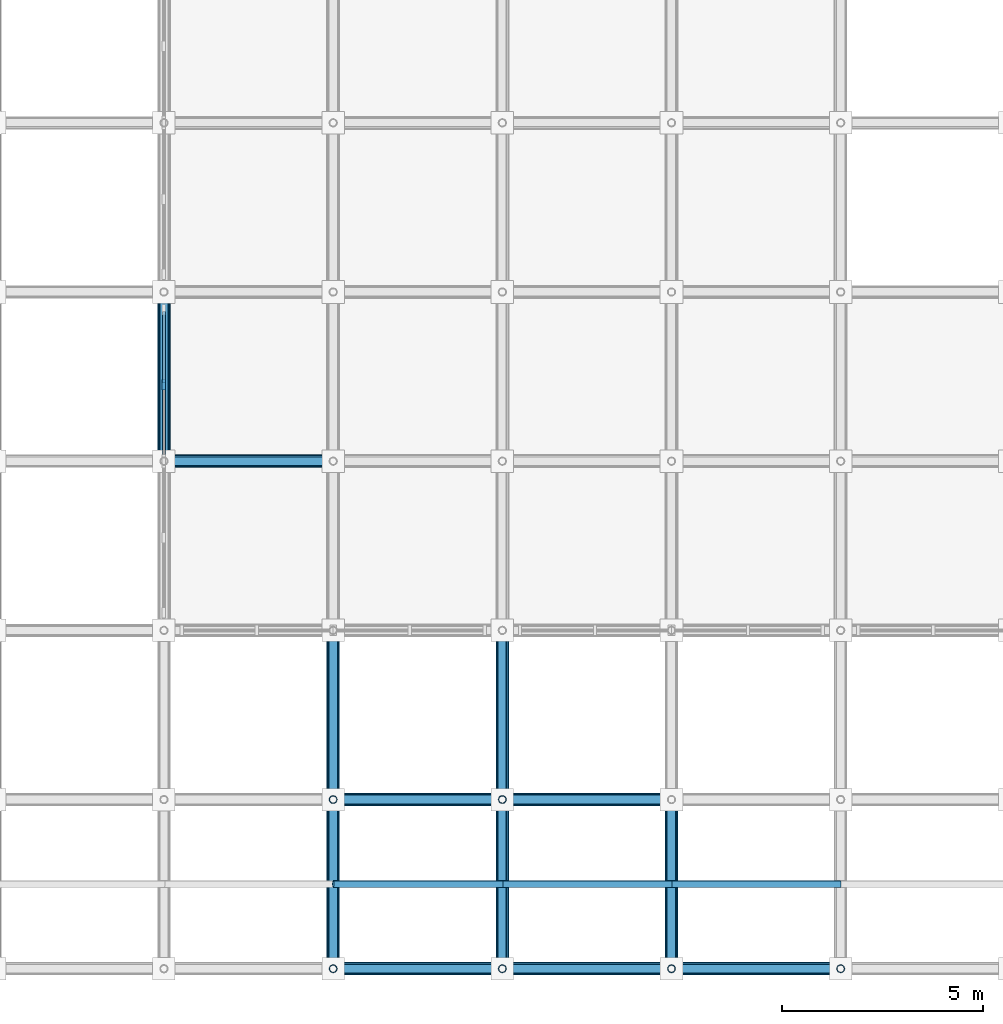
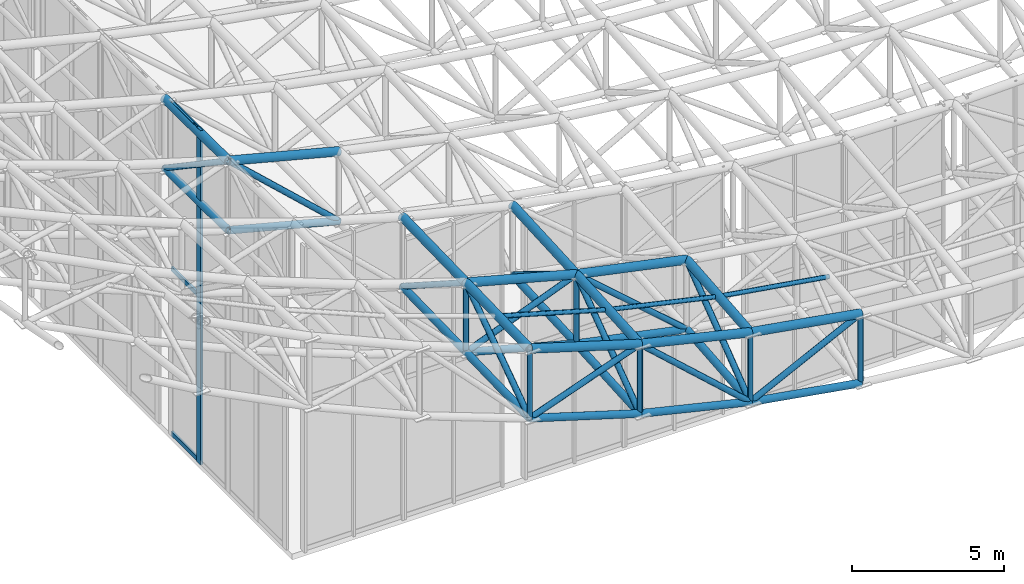
# One storey, part 5 of 93: 50 members, 1 element without a shape of its own.
"""IFC4 building model written with IfcOpenShell, lengths in metres."""

from ifc_helpers import new_model, si_unit, direction, frame, origin, origin_2d, place, context, subcontext, project, spatial, rectangle, hollow_circle, extrude, material, material_profile, profile_set, type_object, element, aggregate, save


model = new_model("IFC4")

# Units and contexts
model_context = context("Model", 3, precision=1e-05, world=origin(), true_north=direction((0.0, 1.0)))
body_context = subcontext(model_context, "Body", "Model", "MODEL_VIEW")
ifc_project = project(units=[si_unit("LENGTHUNIT", "METRE"), si_unit("AREAUNIT", "SQUARE_METRE"), si_unit("VOLUMEUNIT", "CUBIC_METRE"), si_unit("PLANEANGLEUNIT", "RADIAN"), si_unit("MASSUNIT", "GRAM", prefix="KILO")], contexts=[model_context])

# Site, building, storey
site_placement = place(None, origin())
site = spatial("IfcSite", under=ifc_project, at=site_placement, CompositionType="ELEMENT")
building_placement = place(site_placement, origin())
building = spatial("IfcBuilding", under=site, at=building_placement, Name="Cumbredor Promenade Congress Hotel", CompositionType="ELEMENT")
storey_placement = place(building_placement, frame((0.0, 0.0, 21.840087890625)))
storey = spatial("IfcBuildingStorey", under=building, at=storey_placement, Name="L06", CompositionType="ELEMENT", Elevation=21.840087890625)

# Curtain wall, members
ifc_material_1 = material(Name="Thermally broken anodized aluminium and low-E glass", Category="aluminium")
curtain_wall_type = type_object("IfcCurtainWallType", Name="Stepped Pavilion Clerestory Curtain Wall CW-06", PredefinedType="NOTDEFINED", material=ifc_material_1)
curtain_wall_placement = place(storey_placement, origin())
curtain_wall = element("IfcCurtainWall", 1, at=curtain_wall_placement, inside=storey, type_object=curtain_wall_type, Name="Plenary Congress Hall W Glazed Clerestory 2", PredefinedType="NOTDEFINED")
ifc_material_2 = material(Name="Thermally broken anodized aluminium", Category="aluminium")
ifc_material_profile_1 = material_profile(ifc_material_2, rectangle(XDim=0.0849609375, YDim=0.260009765625, at=origin_2d()), Name="ALU MULLION CLERESTORY 85x260")
ifc_profile_set_1 = profile_set([ifc_material_profile_1], Name="Thermally broken anodized aluminium")
member_type_1 = type_object("IfcMemberType", Name="Curtain Wall Mullion ML-04", PredefinedType="MULLION", material=ifc_profile_set_1)
member_1_placement = place(storey_placement, frame((8.39990234375, 14.5, -0.01806640625), z_axis=(0.0, 0.0, 1.0), x_axis=(1.0, 0.0, 0.0)))
member_1 = element("IfcMember", 2, at=member_1_placement, type_object=member_type_1, Name="Plenary Congress Hall W Glazed Clerestory 2 Mullion 2", PredefinedType="MULLION", context=body_context, shape_type="SweptSolid", body=[
    extrude(rectangle(XDim=0.0849609375, YDim=0.260009765625, at=origin_2d()), origin(), (0.0, 0.0, 1.0), 13.466064453125),
])
ifc_material_profile_2 = material_profile(ifc_material_2, rectangle(XDim=0.080078125, YDim=0.179931640625, at=origin_2d()), Name="ALU TRANSOM 80x180")
ifc_profile_set_2 = profile_set([ifc_material_profile_2], Name="Thermally broken anodized aluminium")
member_type_2 = type_object("IfcMemberType", Name="Curtain Wall Transom TR-03", PredefinedType="USERDEFINED", material=ifc_profile_set_2)
member_2_placement = place(storey_placement, frame((8.39990234375, 12.6826171875, 13.349853515625), z_axis=(0.0, 1.0, 0.0), x_axis=(-1.0, 0.0, 0.0)))
member_2 = element("IfcMember", 3, at=member_2_placement, type_object=member_type_2, Name="Plenary Congress Hall W Glazed Clerestory 2 Transom 1.3", ObjectType="TRANSOM", PredefinedType="USERDEFINED", context=body_context, shape_type="SweptSolid", body=[
    extrude(rectangle(XDim=0.080078125, YDim=0.179931640625, at=origin_2d()), origin(), (0.0, 0.0, 1.0), 1.77490234375),
])
member_3_placement = place(storey_placement, frame((8.39990234375, 14.54248046875, 0.079833984375), z_axis=(0.0, 1.0, 0.0), x_axis=(-1.0, 0.0, 0.0)))
member_3 = element("IfcMember", 4, at=member_3_placement, type_object=member_type_2, Name="Plenary Congress Hall W Glazed Clerestory 2 Transom 2.1", ObjectType="TRANSOM", PredefinedType="USERDEFINED", context=body_context, shape_type="SweptSolid", body=[
    extrude(rectangle(XDim=0.080078125, YDim=0.179931640625, at=origin_2d()), origin(), (0.0, 0.0, 1.0), 1.77490234375),
])
member_4_placement = place(storey_placement, frame((8.39990234375, 14.54248046875, 6.7099609375), z_axis=(0.0, 1.0, 0.0), x_axis=(-1.0, 0.0, 0.0)))
member_4 = element("IfcMember", 5, at=member_4_placement, type_object=member_type_2, Name="Plenary Congress Hall W Glazed Clerestory 2 Transom 2.2", ObjectType="TRANSOM", PredefinedType="USERDEFINED", context=body_context, shape_type="SweptSolid", body=[
    extrude(rectangle(XDim=0.080078125, YDim=0.179931640625, at=origin_2d()), origin(), (0.0, 0.0, 1.0), 1.77490234375),
])
member_5_placement = place(storey_placement, frame((8.39990234375, 14.54248046875, 13.349853515625), z_axis=(0.0, 1.0, 0.0), x_axis=(-1.0, 0.0, 0.0)))
member_5 = element("IfcMember", 6, at=member_5_placement, type_object=member_type_2, Name="Plenary Congress Hall W Glazed Clerestory 2 Transom 2.3", ObjectType="TRANSOM", PredefinedType="USERDEFINED", context=body_context, shape_type="SweptSolid", body=[
    extrude(rectangle(XDim=0.080078125, YDim=0.179931640625, at=origin_2d()), origin(), (0.0, 0.0, 1.0), 1.77490234375),
])
aggregate(curtain_wall, [member_1, member_2, member_3, member_4, member_5])

# Members
ifc_material_3 = material(Name="Steel ASTM A500 Grade C", Category="steel")
ifc_material_profile_3 = material_profile(ifc_material_3, hollow_circle(Radius=0.136474609375, WallThickness=0.01611328125, at=origin_2d()), Name="CHS 273.0x16")
ifc_profile_set_3 = profile_set([ifc_material_profile_3], Name="Steel ASTM A500 Grade C")
member_type_3 = type_object("IfcMemberType", Name="Plenary Roof Space Frame Bottom Chord", PredefinedType="CHORD", material=ifc_profile_set_3)
member_6_placement = place(storey_placement, frame((12.60009765625, 0.0, 9.10302734375), z_axis=(0.956327832957, 0.0, -0.292296212619), x_axis=(0.0, 1.0, 0.0)))
element("IfcMember", 7, at=member_6_placement, inside=storey, type_object=member_type_3, Name="Plenary Congress Hall X Bottom Chord 5.1", PredefinedType="CHORD", context=body_context, shape_type="SweptSolid", body=[
    extrude(hollow_circle(Radius=0.136474609375, WallThickness=0.01611328125, at=origin_2d()), origin(), (0.0, 0.0, 1.0), 4.391845703125),
])
member_7_placement = place(storey_placement, frame((16.800048828125, 0.0, 7.8193359375), z_axis=(0.972882011564, 0.0, -0.231301948922), x_axis=(0.0, 1.0, 0.0)))
element("IfcMember", 8, at=member_7_placement, inside=storey, type_object=member_type_3, Name="Plenary Congress Hall X Bottom Chord 6.1", PredefinedType="CHORD", context=body_context, shape_type="SweptSolid", body=[
    extrude(hollow_circle(Radius=0.136474609375, WallThickness=0.01611328125, at=origin_2d()), origin(), (0.0, 0.0, 1.0), 4.317138671875),
])
member_8_placement = place(storey_placement, frame((21.0, 0.0, 6.82080078125), z_axis=(0.98588906313, 0.0, -0.167399985665), x_axis=(0.0, 1.0, 0.0)))
element("IfcMember", 9, at=member_8_placement, inside=storey, type_object=member_type_3, Name="Plenary Congress Hall X Bottom Chord 7.1", PredefinedType="CHORD", context=body_context, shape_type="SweptSolid", body=[
    extrude(hollow_circle(Radius=0.136474609375, WallThickness=0.01611328125, at=origin_2d()), origin(), (0.0, 0.0, 1.0), 4.260009765625),
])
member_9_placement = place(storey_placement, frame((12.60009765625, 4.199951171875, 9.2177734375), z_axis=(0.96544052123, 0.0, -0.260623483148), x_axis=(0.0, 1.0, 0.0)))
element("IfcMember", 10, at=member_9_placement, inside=storey, type_object=member_type_3, Name="Plenary Congress Hall X Bottom Chord 5.2", PredefinedType="CHORD", context=body_context, shape_type="SweptSolid", body=[
    extrude(hollow_circle(Radius=0.136474609375, WallThickness=0.01611328125, at=origin_2d()), origin(), (0.0, 0.0, 1.0), 4.350341796875),
])
member_10_placement = place(storey_placement, frame((16.800048828125, 4.199951171875, 8.083984375), z_axis=(0.978672143388, 0.0, -0.20542842003), x_axis=(0.0, 1.0, 0.0)))
element("IfcMember", 11, at=member_10_placement, inside=storey, type_object=member_type_3, Name="Plenary Congress Hall X Bottom Chord 6.2", PredefinedType="CHORD", context=body_context, shape_type="SweptSolid", body=[
    extrude(hollow_circle(Radius=0.136474609375, WallThickness=0.01611328125, at=origin_2d()), origin(), (0.0, 0.0, 1.0), 4.29150390625),
])
member_11_placement = place(storey_placement, frame((8.39990234375, 12.60009765625, 10.5), z_axis=(0.967959933008, 0.0, -0.251104695479), x_axis=(0.0, 1.0, 0.0)))
element("IfcMember", 12, at=member_11_placement, inside=storey, type_object=member_type_3, Name="Plenary Congress Hall X Bottom Chord 4.4", PredefinedType="CHORD", context=body_context, shape_type="SweptSolid", body=[
    extrude(hollow_circle(Radius=0.136474609375, WallThickness=0.01611328125, at=origin_2d()), origin(), (0.0, 0.0, 1.0), 4.339111328125),
])
member_12_placement = place(storey_placement, frame((8.39990234375, 12.60009765625, 10.5), z_axis=(0.0, 0.999954561946, -0.009532787779), x_axis=(-1.0, 0.0, 0.0)))
element("IfcMember", 13, at=member_12_placement, inside=storey, type_object=member_type_3, Name="Plenary Congress Hall Y Bottom Chord 4.4", PredefinedType="CHORD", context=body_context, shape_type="SweptSolid", body=[
    extrude(hollow_circle(Radius=0.136474609375, WallThickness=0.01611328125, at=origin_2d()), origin(), (0.0, 0.0, 1.0), 4.2001953125),
])
member_13_placement = place(storey_placement, frame((12.60009765625, 0.0, 9.10302734375), z_axis=(0.0, 0.999626995305, 0.027310625344), x_axis=(-1.0, 0.0, 0.0)))
element("IfcMember", 14, at=member_13_placement, inside=storey, type_object=member_type_3, Name="Plenary Congress Hall Y Bottom Chord 5.1", PredefinedType="CHORD", context=body_context, shape_type="SweptSolid", body=[
    extrude(hollow_circle(Radius=0.136474609375, WallThickness=0.01611328125, at=origin_2d()), origin(), (0.0, 0.0, 1.0), 4.201416015625),
])
member_14_placement = place(storey_placement, frame((12.60009765625, 4.199951171875, 9.2177734375), z_axis=(0.0, 0.999694971273, 0.024697457582), x_axis=(-1.0, 0.0, 0.0)))
element("IfcMember", 15, at=member_14_placement, inside=storey, type_object=member_type_3, Name="Plenary Congress Hall Y Bottom Chord 5.2", PredefinedType="CHORD", context=body_context, shape_type="SweptSolid", body=[
    extrude(hollow_circle(Radius=0.136474609375, WallThickness=0.01611328125, at=origin_2d()), origin(), (0.0, 0.0, 1.0), 4.201171875),
])
member_15_placement = place(storey_placement, frame((16.800048828125, 0.0, 7.8193359375), z_axis=(0.0, 0.998020619679, 0.062887540065), x_axis=(-1.0, 0.0, 0.0)))
element("IfcMember", 16, at=member_15_placement, inside=storey, type_object=member_type_3, Name="Plenary Congress Hall Y Bottom Chord 6.1", PredefinedType="CHORD", context=body_context, shape_type="SweptSolid", body=[
    extrude(hollow_circle(Radius=0.136474609375, WallThickness=0.01611328125, at=origin_2d()), origin(), (0.0, 0.0, 1.0), 4.208251953125),
])
member_16_placement = place(storey_placement, frame((16.800048828125, 4.199951171875, 8.083984375), z_axis=(0.0, 0.998449798831, 0.055659673143), x_axis=(-1.0, 0.0, 0.0)))
element("IfcMember", 17, at=member_16_placement, inside=storey, type_object=member_type_3, Name="Plenary Congress Hall Y Bottom Chord 6.2", PredefinedType="CHORD", context=body_context, shape_type="SweptSolid", body=[
    extrude(hollow_circle(Radius=0.136474609375, WallThickness=0.01611328125, at=origin_2d()), origin(), (0.0, 0.0, 1.0), 4.20654296875),
])
member_17_placement = place(storey_placement, frame((21.0, 0.0, 6.82080078125), z_axis=(0.0, 0.995897950259, 0.090483549163), x_axis=(-1.0, 0.0, 0.0)))
element("IfcMember", 18, at=member_17_placement, inside=storey, type_object=member_type_3, Name="Plenary Congress Hall Y Bottom Chord 7.1", PredefinedType="CHORD", context=body_context, shape_type="SweptSolid", body=[
    extrude(hollow_circle(Radius=0.136474609375, WallThickness=0.01611328125, at=origin_2d()), origin(), (0.0, 0.0, 1.0), 4.21728515625),
])
ifc_material_profile_4 = material_profile(ifc_material_3, hollow_circle(Radius=0.161865234375, WallThickness=0.01611328125, at=origin_2d()), Name="CHS 323.9x16")
ifc_profile_set_4 = profile_set([ifc_material_profile_4], Name="Steel ASTM A500 Grade C")
member_type_4 = type_object("IfcMemberType", Name="Plenary Roof Space Frame Top Chord", PredefinedType="CHORD", material=ifc_profile_set_4)
member_18_placement = place(storey_placement, frame((12.60009765625, 0.0, 11.903076171875), z_axis=(0.956327832957, 0.0, -0.292296212619), x_axis=(0.0, 1.0, 0.0)))
element("IfcMember", 19, at=member_18_placement, inside=storey, type_object=member_type_4, Name="Plenary Congress Hall X Top Chord 5.1", PredefinedType="CHORD", context=body_context, shape_type="SweptSolid", body=[
    extrude(hollow_circle(Radius=0.161865234375, WallThickness=0.01611328125, at=origin_2d()), origin(), (0.0, 0.0, 1.0), 4.391845703125),
])
member_19_placement = place(storey_placement, frame((16.800048828125, 0.0, 10.619384765625), z_axis=(0.972882011564, 0.0, -0.231301948922), x_axis=(0.0, 1.0, 0.0)))
element("IfcMember", 20, at=member_19_placement, inside=storey, type_object=member_type_4, Name="Plenary Congress Hall X Top Chord 6.1", PredefinedType="CHORD", context=body_context, shape_type="SweptSolid", body=[
    extrude(hollow_circle(Radius=0.161865234375, WallThickness=0.01611328125, at=origin_2d()), origin(), (0.0, 0.0, 1.0), 4.317138671875),
])
member_20_placement = place(storey_placement, frame((21.0, 0.0, 9.620849609375), z_axis=(0.98588906313, 0.0, -0.167399985665), x_axis=(0.0, 1.0, 0.0)))
element("IfcMember", 21, at=member_20_placement, inside=storey, type_object=member_type_4, Name="Plenary Congress Hall X Top Chord 7.1", PredefinedType="CHORD", context=body_context, shape_type="SweptSolid", body=[
    extrude(hollow_circle(Radius=0.161865234375, WallThickness=0.01611328125, at=origin_2d()), origin(), (0.0, 0.0, 1.0), 4.260009765625),
])
member_21_placement = place(storey_placement, frame((12.60009765625, 4.199951171875, 12.017822265625), z_axis=(0.96544052123, 0.0, -0.260623483148), x_axis=(0.0, 1.0, 0.0)))
element("IfcMember", 22, at=member_21_placement, inside=storey, type_object=member_type_4, Name="Plenary Congress Hall X Top Chord 5.2", PredefinedType="CHORD", context=body_context, shape_type="SweptSolid", body=[
    extrude(hollow_circle(Radius=0.161865234375, WallThickness=0.01611328125, at=origin_2d()), origin(), (0.0, 0.0, 1.0), 4.350341796875),
])
member_22_placement = place(storey_placement, frame((16.800048828125, 4.199951171875, 10.884033203125), z_axis=(0.978660704513, 0.0, -0.205482907906), x_axis=(0.0, 1.0, 0.0)))
element("IfcMember", 23, at=member_22_placement, inside=storey, type_object=member_type_4, Name="Plenary Congress Hall X Top Chord 6.2", PredefinedType="CHORD", context=body_context, shape_type="SweptSolid", body=[
    extrude(hollow_circle(Radius=0.161865234375, WallThickness=0.01611328125, at=origin_2d()), origin(), (0.0, 0.0, 1.0), 4.29150390625),
])
member_23_placement = place(storey_placement, frame((8.39990234375, 12.60009765625, 13.300048828125), z_axis=(0.967946256362, 0.0, -0.251157410393), x_axis=(0.0, 1.0, 0.0)))
element("IfcMember", 24, at=member_23_placement, inside=storey, type_object=member_type_4, Name="Plenary Congress Hall X Top Chord 4.4", PredefinedType="CHORD", context=body_context, shape_type="SweptSolid", body=[
    extrude(hollow_circle(Radius=0.161865234375, WallThickness=0.01611328125, at=origin_2d()), origin(), (0.0, 0.0, 1.0), 4.33935546875),
])
member_24_placement = place(storey_placement, frame((8.39990234375, 12.60009765625, 13.300048828125), z_axis=(0.0, 0.999954561946, -0.009532787779), x_axis=(-1.0, 0.0, 0.0)))
element("IfcMember", 25, at=member_24_placement, inside=storey, type_object=member_type_4, Name="Plenary Congress Hall Y Top Chord 4.4", PredefinedType="CHORD", context=body_context, shape_type="SweptSolid", body=[
    extrude(hollow_circle(Radius=0.161865234375, WallThickness=0.01611328125, at=origin_2d()), origin(), (0.0, 0.0, 1.0), 4.2001953125),
])
member_25_placement = place(storey_placement, frame((12.60009765625, 0.0, 11.903076171875), z_axis=(0.0, 0.999626995305, 0.027310625344), x_axis=(-1.0, 0.0, 0.0)))
element("IfcMember", 26, at=member_25_placement, inside=storey, type_object=member_type_4, Name="Plenary Congress Hall Y Top Chord 5.1", PredefinedType="CHORD", context=body_context, shape_type="SweptSolid", body=[
    extrude(hollow_circle(Radius=0.161865234375, WallThickness=0.01611328125, at=origin_2d()), origin(), (0.0, 0.0, 1.0), 4.201416015625),
])
member_26_placement = place(storey_placement, frame((12.60009765625, 4.199951171875, 12.017822265625), z_axis=(0.0, 0.999694971273, 0.024697457582), x_axis=(-1.0, 0.0, 0.0)))
element("IfcMember", 27, at=member_26_placement, inside=storey, type_object=member_type_4, Name="Plenary Congress Hall Y Top Chord 5.2", PredefinedType="CHORD", context=body_context, shape_type="SweptSolid", body=[
    extrude(hollow_circle(Radius=0.161865234375, WallThickness=0.01611328125, at=origin_2d()), origin(), (0.0, 0.0, 1.0), 4.201171875),
])
member_27_placement = place(storey_placement, frame((16.800048828125, 0.0, 10.619384765625), z_axis=(0.0, 0.998020619679, 0.062887540065), x_axis=(-1.0, 0.0, 0.0)))
element("IfcMember", 28, at=member_27_placement, inside=storey, type_object=member_type_4, Name="Plenary Congress Hall Y Top Chord 6.1", PredefinedType="CHORD", context=body_context, shape_type="SweptSolid", body=[
    extrude(hollow_circle(Radius=0.161865234375, WallThickness=0.01611328125, at=origin_2d()), origin(), (0.0, 0.0, 1.0), 4.208251953125),
])
member_28_placement = place(storey_placement, frame((16.800048828125, 4.199951171875, 10.884033203125), z_axis=(0.0, 0.998449798831, 0.055659673143), x_axis=(-1.0, 0.0, 0.0)))
element("IfcMember", 29, at=member_28_placement, inside=storey, type_object=member_type_4, Name="Plenary Congress Hall Y Top Chord 6.2", PredefinedType="CHORD", context=body_context, shape_type="SweptSolid", body=[
    extrude(hollow_circle(Radius=0.161865234375, WallThickness=0.01611328125, at=origin_2d()), origin(), (0.0, 0.0, 1.0), 4.20654296875),
])
member_29_placement = place(storey_placement, frame((21.0, 0.0, 9.620849609375), z_axis=(0.0, 0.995903165323, 0.090426131735), x_axis=(-1.0, 0.0, 0.0)))
element("IfcMember", 30, at=member_29_placement, inside=storey, type_object=member_type_4, Name="Plenary Congress Hall Y Top Chord 7.1", PredefinedType="CHORD", context=body_context, shape_type="SweptSolid", body=[
    extrude(hollow_circle(Radius=0.161865234375, WallThickness=0.01611328125, at=origin_2d()), origin(), (0.0, 0.0, 1.0), 4.21728515625),
])
ifc_material_profile_5 = material_profile(ifc_material_3, hollow_circle(Radius=0.084228515625, WallThickness=0.010009765625, at=origin_2d()), Name="CHS 168.3x10")
ifc_profile_set_5 = profile_set([ifc_material_profile_5], Name="Steel ASTM A500 Grade C")
member_type_5 = type_object("IfcMemberType", Name="Roof Purlin CHS168", PredefinedType="PURLIN", material=ifc_profile_set_5)
member_30_placement = place(storey_placement, frame((12.60009765625, 2.10009765625, 11.9404296875), z_axis=(0.960993056812, 0.0, -0.276572494581), x_axis=(0.0, 1.0, 0.0)))
element("IfcMember", 31, at=member_30_placement, inside=storey, type_object=member_type_5, Name="Plenary Congress Hall Roof Eave Purlin 5.1", PredefinedType="PURLIN", context=body_context, shape_type="SweptSolid", body=[
    extrude(hollow_circle(Radius=0.084228515625, WallThickness=0.010009765625, at=origin_2d()), origin(), (0.0, 0.0, 1.0), 4.370361328125),
])
member_31_placement = place(storey_placement, frame((16.800048828125, 2.10009765625, 10.731689453125), z_axis=(0.975848194102, 0.0, -0.218449770126), x_axis=(0.0, 1.0, 0.0)))
element("IfcMember", 32, at=member_31_placement, inside=storey, type_object=member_type_5, Name="Plenary Congress Hall Roof Eave Purlin 6.1", PredefinedType="PURLIN", context=body_context, shape_type="SweptSolid", body=[
    extrude(hollow_circle(Radius=0.084228515625, WallThickness=0.010009765625, at=origin_2d()), origin(), (0.0, 0.0, 1.0), 4.303955078125),
])
member_32_placement = place(storey_placement, frame((21.0, 2.10009765625, 9.79150390625), z_axis=(0.987462830201, 0.0, -0.1578516993), x_axis=(0.0, 1.0, 0.0)))
element("IfcMember", 33, at=member_32_placement, inside=storey, type_object=member_type_5, Name="Plenary Congress Hall Roof Eave Purlin 7.1", PredefinedType="PURLIN", context=body_context, shape_type="SweptSolid", body=[
    extrude(hollow_circle(Radius=0.084228515625, WallThickness=0.010009765625, at=origin_2d()), origin(), (0.0, 0.0, 1.0), 4.253173828125),
])
ifc_material_profile_6 = material_profile(ifc_material_3, hollow_circle(Radius=0.109619140625, WallThickness=0.012451171875, at=origin_2d()), Name="CHS 219.1x12.5")
ifc_profile_set_6 = profile_set([ifc_material_profile_6], Name="Steel ASTM A500 Grade C")
member_type_6 = type_object("IfcMemberType", Name="Space Frame Web Diagonal D1", PredefinedType="BRACE", material=ifc_profile_set_6)
member_33_placement = place(storey_placement, frame((12.60009765625, 0.0, 9.10302734375), z_axis=(0.940574760272, 0.0, 0.339586690464), x_axis=(0.0, 1.0, 0.0)))
element("IfcMember", 34, at=member_33_placement, inside=storey, type_object=member_type_6, Name="Plenary Congress Hall X Web Diagonal 5.1", PredefinedType="BRACE", context=body_context, shape_type="SweptSolid", body=[
    extrude(hollow_circle(Radius=0.109619140625, WallThickness=0.012451171875, at=origin_2d()), origin(), (0.0, 0.0, 1.0), 4.46533203125),
])
member_34_placement = place(storey_placement, frame((16.800048828125, 0.0, 10.619384765625), z_axis=(0.741656287329, 0.0, -0.670780106641), x_axis=(0.0, 1.0, 0.0)))
element("IfcMember", 35, at=member_34_placement, inside=storey, type_object=member_type_6, Name="Plenary Congress Hall X Web Diagonal 6.1", PredefinedType="BRACE", context=body_context, shape_type="SweptSolid", body=[
    extrude(hollow_circle(Radius=0.109619140625, WallThickness=0.012451171875, at=origin_2d()), origin(), (0.0, 0.0, 1.0), 5.662841796875),
])
member_35_placement = place(storey_placement, frame((21.0, 0.0, 6.82080078125), z_axis=(0.895538438057, 0.0, 0.444984163722), x_axis=(0.0, 1.0, 0.0)))
element("IfcMember", 36, at=member_35_placement, inside=storey, type_object=member_type_6, Name="Plenary Congress Hall X Web Diagonal 7.1", PredefinedType="BRACE", context=body_context, shape_type="SweptSolid", body=[
    extrude(hollow_circle(Radius=0.109619140625, WallThickness=0.012451171875, at=origin_2d()), origin(), (0.0, 0.0, 1.0), 4.68994140625),
])
member_36_placement = place(storey_placement, frame((12.60009765625, 4.199951171875, 9.2177734375), z_axis=(0.929520112027, 0.0, 0.36877142153), x_axis=(0.0, 1.0, 0.0)))
element("IfcMember", 37, at=member_36_placement, inside=storey, type_object=member_type_6, Name="Plenary Congress Hall X Web Diagonal 5.2", PredefinedType="BRACE", context=body_context, shape_type="SweptSolid", body=[
    extrude(hollow_circle(Radius=0.109619140625, WallThickness=0.012451171875, at=origin_2d()), origin(), (0.0, 0.0, 1.0), 4.518310546875),
])
member_37_placement = place(storey_placement, frame((16.800048828125, 4.199951171875, 10.884033203125), z_axis=(0.751983371698, 0.0, -0.659182075522), x_axis=(0.0, 1.0, 0.0)))
element("IfcMember", 38, at=member_37_placement, inside=storey, type_object=member_type_6, Name="Plenary Congress Hall X Web Diagonal 6.2", PredefinedType="BRACE", context=body_context, shape_type="SweptSolid", body=[
    extrude(hollow_circle(Radius=0.109619140625, WallThickness=0.012451171875, at=origin_2d()), origin(), (0.0, 0.0, 1.0), 5.585205078125),
])
member_38_placement = place(storey_placement, frame((8.39990234375, 12.60009765625, 13.300048828125), z_axis=(0.733710275951, 0.0, -0.679462457362), x_axis=(0.0, 1.0, 0.0)))
element("IfcMember", 39, at=member_38_placement, inside=storey, type_object=member_type_6, Name="Plenary Congress Hall X Web Diagonal 4.4", PredefinedType="BRACE", context=body_context, shape_type="SweptSolid", body=[
    extrude(hollow_circle(Radius=0.109619140625, WallThickness=0.012451171875, at=origin_2d()), origin(), (0.0, 0.0, 1.0), 5.724609375),
])
member_39_placement = place(storey_placement, frame((8.39990234375, 12.60009765625, 13.300048828125), z_axis=(0.0, 0.828380021627, -0.560166528605), x_axis=(-1.0, 0.0, 0.0)))
element("IfcMember", 40, at=member_39_placement, inside=storey, type_object=member_type_6, Name="Plenary Congress Hall Y Web Diagonal 4.4", PredefinedType="BRACE", context=body_context, shape_type="SweptSolid", body=[
    extrude(hollow_circle(Radius=0.109619140625, WallThickness=0.012451171875, at=origin_2d()), origin(), (0.0, 0.0, 1.0), 5.070068359375),
])
member_40_placement = place(storey_placement, frame((12.60009765625, 0.0, 9.10302734375), z_axis=(0.0, 0.821538354491, 0.570153253169), x_axis=(-1.0, 0.0, 0.0)))
element("IfcMember", 41, at=member_40_placement, inside=storey, type_object=member_type_6, Name="Plenary Congress Hall Y Web Diagonal 5.1", PredefinedType="BRACE", context=body_context, shape_type="SweptSolid", body=[
    extrude(hollow_circle(Radius=0.109619140625, WallThickness=0.012451171875, at=origin_2d()), origin(), (0.0, 0.0, 1.0), 5.1123046875),
])
member_41_placement = place(storey_placement, frame((12.60009765625, 4.199951171875, 12.017822265625), z_axis=(0.0, 0.841513666609, -0.540235827125), x_axis=(-1.0, 0.0, 0.0)))
element("IfcMember", 42, at=member_41_placement, inside=storey, type_object=member_type_6, Name="Plenary Congress Hall Y Web Diagonal 5.2", PredefinedType="BRACE", context=body_context, shape_type="SweptSolid", body=[
    extrude(hollow_circle(Radius=0.109619140625, WallThickness=0.012451171875, at=origin_2d()), origin(), (0.0, 0.0, 1.0), 4.990966796875),
])
member_42_placement = place(storey_placement, frame((16.800048828125, 0.0, 7.8193359375), z_axis=(0.0, 0.807803033884, 0.589452507373), x_axis=(-1.0, 0.0, 0.0)))
element("IfcMember", 43, at=member_42_placement, inside=storey, type_object=member_type_6, Name="Plenary Congress Hall Y Web Diagonal 6.1", PredefinedType="BRACE", context=body_context, shape_type="SweptSolid", body=[
    extrude(hollow_circle(Radius=0.109619140625, WallThickness=0.012451171875, at=origin_2d()), origin(), (0.0, 0.0, 1.0), 5.19921875),
])
member_43_placement = place(storey_placement, frame((16.800048828125, 4.199951171875, 10.884033203125), z_axis=(0.0, 0.85334681454, -0.521343662199), x_axis=(-1.0, 0.0, 0.0)))
element("IfcMember", 44, at=member_43_placement, inside=storey, type_object=member_type_6, Name="Plenary Congress Hall Y Web Diagonal 6.2", PredefinedType="BRACE", context=body_context, shape_type="SweptSolid", body=[
    extrude(hollow_circle(Radius=0.109619140625, WallThickness=0.012451171875, at=origin_2d()), origin(), (0.0, 0.0, 1.0), 4.921630859375),
])
member_44_placement = place(storey_placement, frame((21.0, 0.0, 6.82080078125), z_axis=(0.0, 0.797127291195, 0.603811296376), x_axis=(-1.0, 0.0, 0.0)))
element("IfcMember", 45, at=member_44_placement, inside=storey, type_object=member_type_6, Name="Plenary Congress Hall Y Web Diagonal 7.1", PredefinedType="BRACE", context=body_context, shape_type="SweptSolid", body=[
    extrude(hollow_circle(Radius=0.109619140625, WallThickness=0.012451171875, at=origin_2d()), origin(), (0.0, 0.0, 1.0), 5.268798828125),
])
ifc_material_profile_7 = material_profile(ifc_material_3, hollow_circle(Radius=0.096923828125, WallThickness=0.010009765625, at=origin_2d()), Name="CHS 193.7x10")
ifc_profile_set_7 = profile_set([ifc_material_profile_7], Name="Steel ASTM A500 Grade C")
member_type_7 = type_object("IfcMemberType", Name="Space Frame Web Post P1", PredefinedType="BRACE", material=ifc_profile_set_7)
for number, where, z_axis, x_axis, name in (
    (46, (12.60009765625, 0.0, 9.10302734375), (0.0, 0.0, 1.0), (1.0, 0.0, 0.0), "Plenary Congress Hall Space Frame Web Post 5.1"),
    (47, (12.60009765625, 4.199951171875, 9.2177734375), (0.0, 0.0, 1.0), (1.0, 0.0, 0.0), "Plenary Congress Hall Space Frame Web Post 5.2"),
    (48, (16.800048828125, 0.0, 7.8193359375), (0.0, 0.0, 1.0), (1.0, 0.0, 0.0), "Plenary Congress Hall Space Frame Web Post 6.1"),
    (49, (16.800048828125, 4.199951171875, 8.083984375), (0.0, 0.0, 1.0), (1.0, 0.0, 0.0), "Plenary Congress Hall Space Frame Web Post 6.2"),
    (50, (21.0, 0.0, 6.82080078125), (0.0, 0.0, 1.0), (1.0, 0.0, 0.0), "Plenary Congress Hall Space Frame Web Post 7.1"),
    (51, (25.199951171875, 0.0, 6.107666015625), (0.0, 0.0, 1.0), (1.0, 0.0, 0.0), "Plenary Congress Hall Space Frame Web Post 8.1"),
):
    element("IfcMember", number, at=place(storey_placement, frame(where, z_axis=z_axis, x_axis=x_axis)), inside=storey, type_object=member_type_7, Name=name, PredefinedType="BRACE", context=body_context, shape_type="SweptSolid", body=[
        extrude(hollow_circle(Radius=0.096923828125, WallThickness=0.010009765625, at=origin_2d()), origin(), (0.0, 0.0, 1.0), 2.800048828125),
    ])

save(model, "model.ifc")
